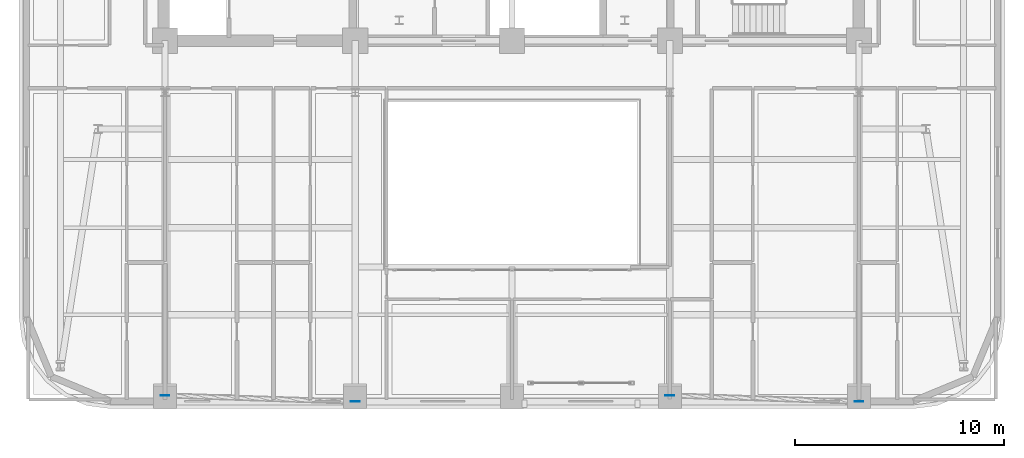
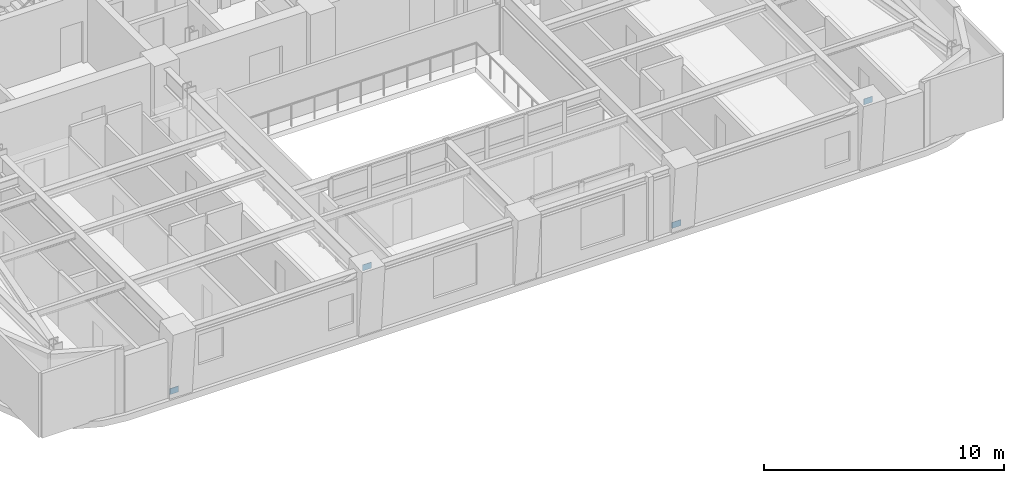
# One storey, part 5 of 13: 4 plates.
"""IFC4 building model written with IfcOpenShell, lengths in metres."""

from ifc_helpers import new_model, si_unit, direction, frame, origin, origin_2d, place, context, subcontext, project, spatial, rectangle, extrude, material, layer, layer_set, type_object, element, save


model = new_model("IFC4")

# Units and contexts
model_context = context("Model", 3, precision=1e-05, world=origin(), true_north=direction((0.0, 1.0)))
body_context = subcontext(model_context, "Body", "Model", "MODEL_VIEW")
ifc_project = project(units=[si_unit("LENGTHUNIT", "METRE"), si_unit("AREAUNIT", "SQUARE_METRE"), si_unit("VOLUMEUNIT", "CUBIC_METRE"), si_unit("PLANEANGLEUNIT", "RADIAN"), si_unit("MASSUNIT", "GRAM", prefix="KILO")], contexts=[model_context])

# Site, building, storey
site_placement = place(None, origin())
site = spatial("IfcSite", under=ifc_project, at=site_placement, CompositionType="ELEMENT")
building_placement = place(site_placement, origin())
building = spatial("IfcBuilding", under=site, at=building_placement, Name="Zarnavel Station Tower", CompositionType="ELEMENT")
storey_placement = place(building_placement, frame((0.0, 0.0, 169.64990234375)))
storey = spatial("IfcBuildingStorey", under=building, at=storey_placement, Name="L46", CompositionType="ELEMENT", Elevation=169.64990234375)

# Plates
ifc_material = material(Name="Steel S460M", Category="steel")
ifc_layer = layer(ifc_material, 0.02490234375)
ifc_layer_set = layer_set([ifc_layer], Name="GP_GUSSET_25")
plate_type = type_object("IfcPlateType", Name="GP_GUSSET_25", PredefinedType="USERDEFINED", material=ifc_layer_set)
for number, where, z_axis, x_axis, name in (
    (1, (12.199951171875, 10.854248046875, -0.14990234375), (0.0, 0.0, 1.0), (1.0, 0.0, 0.0), "L46 Exterior Diagonal Brace End Gusset 1-1"),
    (2, (21.300048828125, 10.55615234375, 3.14013671875), (0.0, 0.0, 1.0), (1.0, 0.0, 0.0), "L46 Exterior Diagonal Brace End Gusset 1-2"),
    (3, (36.35009765625, 10.854248046875, -0.14990234375), (0.0, 0.0, 1.0), (1.0, 0.0, 0.0), "L46 Exterior Diagonal Brace End Gusset 2-1"),
    (4, (45.39990234375, 10.55615234375, 3.14013671875), (0.0, 0.0, 1.0), (1.0, 0.0, 0.0), "L46 Exterior Diagonal Brace End Gusset 2-2"),
):
    element("IfcPlate", number, at=place(storey_placement, frame(where, z_axis=z_axis, x_axis=x_axis)), inside=storey, type_object=plate_type, Name=name, ObjectType="GUSSET_PLATE", PredefinedType="USERDEFINED", context=body_context, shape_type="SweptSolid", body=[
        extrude(rectangle(XDim=0.419921875, YDim=0.02490234375, at=origin_2d()), origin(), (0.0, 0.0, 1.0), 0.300048828125),
    ])

save(model, "model.ifc")
